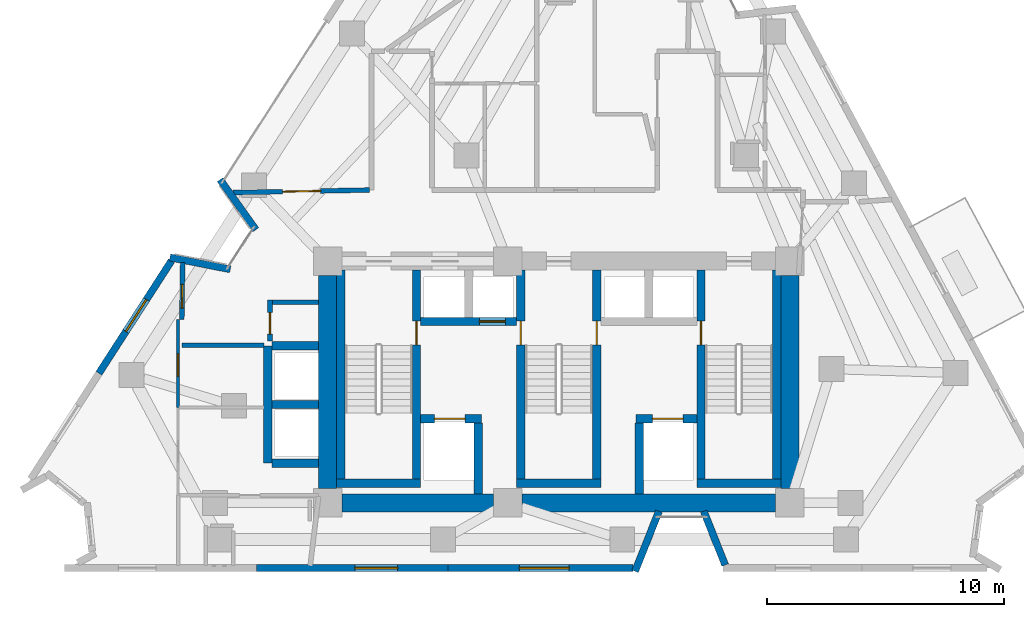
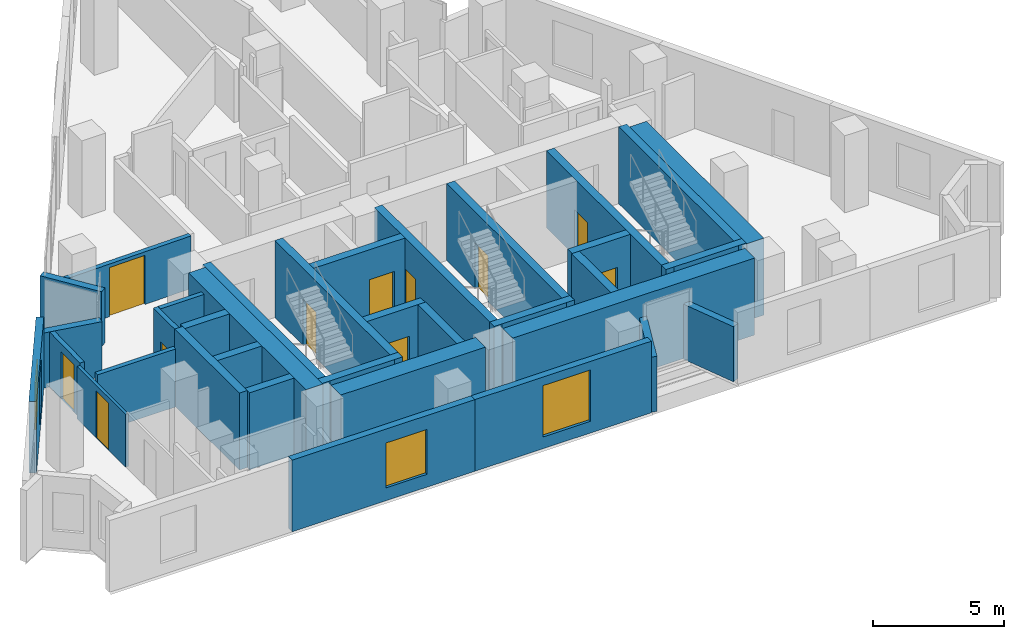
# One storey, part 6 of 11: 35 walls, 11 doors, 3 windows, 14 openings.
"""IFC4 building model written with IfcOpenShell, lengths in metres."""

import ifcopenshell
import ifcopenshell.guid

model = None  # the IFC model being written
_history = None  # IfcOwnerHistory: only IFC2X3 demands one
_inside = {}  # id of a spatial element -> (the spatial element, [elements in it])
_under = {}  # id of a project, library or spatial element -> (it, [spatial elements below it])
_declared = {}  # id of a project -> (the project, [libraries it declares])
_typed = {}  # id of a type object -> (the type object, [elements of that type])
_made_of = {}  # id of a material, layer set ... -> (it, [elements and type objects made of it])


def new_model(schema):
    """Start an empty IFC model of exactly this schema.

    Asked for "IFC4X3", IfcOpenShell would pick the latest addendum, in which some entities
    have other attributes; the version numbers below select the first issue.
    IFC2X3 requires an IfcOwnerHistory on every rooted entity: one is made here for all.
    """
    global model, _history
    if schema == "IFC4X3":
        model = ifcopenshell.file(schema_version=(4, 3, 0, 0))
    else:
        model = ifcopenshell.file(schema=schema)
    _inside.clear()
    _under.clear()
    _declared.clear()
    _typed.clear()
    _made_of.clear()
    _history = None
    if model.schema == "IFC2X3":
        org = make("IfcOrganization", Name="unknown")
        user = make(
            "IfcPersonAndOrganization",
            ThePerson=make("IfcPerson", FamilyName="unknown"),
            TheOrganization=org,
        )
        app = make(
            "IfcApplication",
            ApplicationDeveloper=org,
            Version="unknown",
            ApplicationFullName="unknown",
            ApplicationIdentifier="unknown",
        )
        _history = make(
            "IfcOwnerHistory",
            OwningUser=user,
            OwningApplication=app,
            ChangeAction="ADDED",
            CreationDate=0,
        )
    return model


def make(cls, **values):
    """One entity of the class cls with the attributes given. An attribute that is None is left unset."""
    return model.create_entity(
        cls, **{name: value for name, value in values.items() if value is not None}
    )


def rooted(cls, **values):
    """An entity with a GlobalId (a new one), such as an element, a storey or a relation."""
    return make(cls, GlobalId=ifcopenshell.guid.new(), OwnerHistory=_history, **values)


def si_unit(unit_type, name, prefix=None):
    """IfcSIUnit, for example si_unit("LENGTHUNIT", "METRE", prefix="MILLI")."""
    return make("IfcSIUnit", UnitType=unit_type, Prefix=prefix, Name=name)


def assignment(units):
    """IfcUnitAssignment: the units of a project."""
    return None if units is None else make("IfcUnitAssignment", Units=units)


def point(xyz):
    """IfcCartesianPoint."""
    return None if xyz is None else make("IfcCartesianPoint", Coordinates=xyz)


def direction(xyz):
    """IfcDirection."""
    return None if xyz is None else make("IfcDirection", DirectionRatios=xyz)


def frame(location, z_axis=None, x_axis=None):
    """IfcAxis2Placement3D, a coordinate frame: its origin and axes. An axis left out is left unset."""
    return make(
        "IfcAxis2Placement3D",
        Location=point(location),
        Axis=direction(z_axis),
        RefDirection=direction(x_axis),
    )


def frame_2d(location, x_axis=None):
    """IfcAxis2Placement2D, a coordinate frame in the plane: its origin and x axis."""
    return make(
        "IfcAxis2Placement2D", Location=point(location), RefDirection=direction(x_axis)
    )


def origin():
    """The frame at (0, 0, 0) with its axes left unset."""
    return frame((0.0, 0.0, 0.0))


def place(relative_to, where):
    """IfcLocalPlacement: puts the frame where relative to a parent placement (None: the world)."""
    return make(
        "IfcLocalPlacement", PlacementRelTo=relative_to, RelativePlacement=where
    )


def context(
    kind, dimensions, precision=None, world=None, true_north=None, identifier=None
):
    """IfcGeometricRepresentationContext, for example the 3D "Model" context."""
    return make(
        "IfcGeometricRepresentationContext",
        ContextIdentifier=identifier,
        ContextType=kind,
        CoordinateSpaceDimension=dimensions,
        Precision=precision,
        WorldCoordinateSystem=world,
        TrueNorth=true_north,
    )


def subcontext(parent, identifier, kind, view, scale=None):
    """IfcGeometricRepresentationSubContext, for example "Body" below "Model"."""
    return make(
        "IfcGeometricRepresentationSubContext",
        ContextIdentifier=identifier,
        ContextType=kind,
        ParentContext=parent,
        TargetScale=scale,
        TargetView=view,
    )


def project(units=None, contexts=None):
    """IfcProject with its units and contexts."""
    return rooted(
        "IfcProject",
        Name="project",
        RepresentationContexts=contexts,
        UnitsInContext=assignment(units),
    )


def spatial(cls, under=None, at=None, **own):
    """A site, building, storey or space (cls), placed at a placement, below another one or the project."""
    s = rooted(cls, ObjectPlacement=at, **own)
    if under is not None:
        _under.setdefault(under.id(), (under, []))[1].append(s)
    return s


def profile(cls, at=None, kind="AREA", **sizes):
    """A parametric profile (cls). Its sizes go by their IFC names, for example OverallWidth=200.0."""
    return make(cls, ProfileType=kind, Position=at, **sizes)


def rectangle(**sizes):
    """IfcRectangleProfileDef."""
    return profile("IfcRectangleProfileDef", **sizes)


def extrude(swept, where, along, depth):
    """IfcExtrudedAreaSolid: the profile swept, set in the frame where, extruded along a direction by depth."""
    return make(
        "IfcExtrudedAreaSolid",
        SweptArea=swept,
        Position=where,
        ExtrudedDirection=direction(along),
        Depth=depth,
    )


def shape(context_of_items, identifier, shape_type, items):
    """IfcShapeRepresentation: the items that make up one representation, for example the "Body"."""
    return make(
        "IfcShapeRepresentation",
        ContextOfItems=context_of_items,
        RepresentationIdentifier=identifier,
        RepresentationType=shape_type,
        Items=items,
    )


def material(Name=None, Category=None):
    """IfcMaterial."""
    return make("IfcMaterial", Name=Name, Category=Category)


def layer(
    of_material, thickness, ventilated=None, Name=None, Category=None, Priority=None
):
    """IfcMaterialLayer: one layer of a wall or slab, of a material (None: an air gap)."""
    return make(
        "IfcMaterialLayer",
        Material=of_material,
        LayerThickness=thickness,
        IsVentilated=ventilated,
        Name=Name,
        Category=Category,
        Priority=Priority,
    )


def layer_set(layers, Name=None):
    """IfcMaterialLayerSet."""
    return make("IfcMaterialLayerSet", MaterialLayers=layers, LayerSetName=Name)


def made_of(thing, what):
    """Note that an element or type object is made of a material, layer set ...; save() writes the relation."""
    if what is not None:
        _made_of.setdefault(what.id(), (what, []))[1].append(thing)
    return thing


def type_object(cls, material=None, **own):
    """A type object (cls), such as IfcWallType, which elements share."""
    return made_of(rooted(cls, **own), material)


def element(
    cls,
    number,
    at=None,
    inside=None,
    cuts=None,
    type_object=None,
    material=None,
    context=None,
    identifier="Body",
    shape_type=None,
    held_by="IfcProductDefinitionShape",
    body=None,
    shapes=None,
    **own,
):
    """One element of the class cls, such as IfcWall. Its Tag is "e" and its number.

    at: its placement. inside: the storey or other place that contains it. cuts: it is an
    opening in that element (IfcRelVoidsElement). A single representation is given by context,
    identifier, shape_type and body (its items); several are given by shapes. held_by: the class
    of the entity that holds the representations. save() writes the other relations.
    """
    e = rooted(cls, Tag="e%d" % number, ObjectPlacement=at, **own)
    if body is not None:
        shapes = [shape(context, identifier, shape_type, body)]
    if shapes is not None:
        e.Representation = make(held_by, Representations=shapes)
    if inside is not None:
        _inside.setdefault(inside.id(), (inside, []))[1].append(e)
    if cuts is not None:
        rooted(
            "IfcRelVoidsElement", RelatingBuildingElement=cuts, RelatedOpeningElement=e
        )
    if type_object is not None:
        _typed.setdefault(type_object.id(), (type_object, []))[1].append(e)
    return made_of(e, material)


def fill(opening, filler):
    """IfcRelFillsElement: the door or window that sits in an opening."""
    return rooted(
        "IfcRelFillsElement",
        RelatingOpeningElement=opening,
        RelatedBuildingElement=filler,
    )


def aggregate(whole, parts):
    """IfcRelAggregates: a whole, such as a stair, and the parts it consists of."""
    return rooted("IfcRelAggregates", RelatingObject=whole, RelatedObjects=parts)


def save(model, path):
    """Write the relations noted so far, then the file.

    IfcRelAggregates (storeys below a building ...), IfcRelContainedInSpatialStructure (elements
    in a storey), IfcRelDefinesByType, IfcRelAssociatesMaterial and IfcRelDeclares: one each for
    every whole, place, type object, material and project.
    """
    for whole, parts in _under.values():
        aggregate(whole, parts)
    for where, things in _inside.values():
        rooted(
            "IfcRelContainedInSpatialStructure",
            RelatedElements=things,
            RelatingStructure=where,
        )
    for kind, things in _typed.values():
        rooted("IfcRelDefinesByType", RelatedObjects=things, RelatingType=kind)
    for what, things in _made_of.values():
        rooted("IfcRelAssociatesMaterial", RelatedObjects=things, RelatingMaterial=what)
    for by, libraries in _declared.values():
        rooted("IfcRelDeclares", RelatingContext=by, RelatedDefinitions=libraries)
    model.write(path)


model = new_model("IFC4")

# Units and contexts
model_context = context("Model", 3, precision=1e-05, world=origin(), true_north=direction((0.0, 1.0)))
body_context = subcontext(model_context, "Body", "Model", "MODEL_VIEW")
ifc_project = project(units=[si_unit("LENGTHUNIT", "METRE"), si_unit("AREAUNIT", "SQUARE_METRE"), si_unit("VOLUMEUNIT", "CUBIC_METRE"), si_unit("PLANEANGLEUNIT", "RADIAN"), si_unit("MASSUNIT", "GRAM", prefix="KILO")], contexts=[model_context])

# Site, building, storey
site_placement = place(None, origin())
site = spatial("IfcSite", under=ifc_project, at=site_placement, CompositionType="ELEMENT")
building_placement = place(site_placement, origin())
building = spatial("IfcBuilding", under=site, at=building_placement, Name="Almagre Mirador Tower", CompositionType="ELEMENT")
storey_placement = place(building_placement, frame((0.0, 0.0, 189.60009765625)))
storey = spatial("IfcBuildingStorey", under=building, at=storey_placement, Name="L49", CompositionType="ELEMENT", Elevation=189.60009765625)

# Walls
ifc_material_1 = material(Name="Precast concrete C50/60", Category="concrete")
ifc_layer_1 = layer(ifc_material_1, 0.300048828125)
ifc_layer_set_1 = layer_set([ifc_layer_1], Name="Precast concrete C50/60")
wall_type_1 = type_object("IfcWallType", Name="WAL-EXT-300", PredefinedType="SOLIDWALL", material=ifc_layer_set_1)
wall_1_placement = place(storey_placement, frame((20.898681640625, 14.906005859375, 0.0), z_axis=(0.0, 0.0, 1.0), x_axis=(0.981166388371, -0.193164485171, 0.0)))
element("IfcWall", 1, at=wall_1_placement, inside=storey, type_object=wall_type_1, Name="L49 expressed almagre precast frame wall 01", PredefinedType="SOLIDWALL", context=body_context, shape_type="SweptSolid", body=[
    extrude(rectangle(XDim=2.593505859375, YDim=0.300048828125, at=frame_2d((1.296875, 0.0))), origin(), (0.0, 0.0, 1.0), 2.574951171875),
])
wall_2_placement = place(storey_placement, frame((24.520263671875, 16.073974609375, 0.0), z_axis=(0.0, 0.0, 1.0), x_axis=(-0.580472212384, 0.814280056645, 0.0)))
element("IfcWall", 2, at=wall_2_placement, inside=storey, type_object=wall_type_1, Name="L49 expressed almagre precast frame wall 02", PredefinedType="SOLIDWALL", context=body_context, shape_type="SweptSolid", body=[
    extrude(rectangle(XDim=2.59375, YDim=0.300048828125, at=frame_2d((1.296875, 0.0))), origin(), (0.0, 0.0, 1.0), 2.574951171875),
])
wall_3_placement = place(storey_placement, frame((44.3203125, 1.93017578125, 0.0), z_axis=(0.0, 0.0, 1.0), x_axis=(-0.369562555971, 0.929205852986, 0.0)))
element("IfcWall", 3, at=wall_3_placement, inside=storey, type_object=wall_type_1, Name="L49 expressed almagre precast frame wall 22", PredefinedType="SOLIDWALL", context=body_context, shape_type="SweptSolid", body=[
    extrude(rectangle(XDim=2.441650390625, YDim=0.300048828125, at=frame_2d((1.220703125, 0.0))), origin(), (0.0, 0.0, 1.0), 2.574951171875),
])
wall_4_placement = place(storey_placement, frame((41.52587890625, 4.198974609375, 0.0), z_axis=(0.0, 0.0, 1.0), x_axis=(-0.369487569888, -0.929235672851, 0.0)))
element("IfcWall", 4, at=wall_4_placement, inside=storey, type_object=wall_type_1, Name="L49 expressed almagre precast frame wall 23", PredefinedType="SOLIDWALL", context=body_context, shape_type="SweptSolid", body=[
    extrude(rectangle(XDim=2.7216796875, YDim=0.300048828125, at=frame_2d((1.36083984375, 0.0))), origin(), (0.0, 0.0, 1.0), 2.574951171875),
])

# Wall, opening, window
wall_5_placement = place(storey_placement, frame((40.43701171875, 1.800048828125, 0.0), z_axis=(0.0, 0.0, 1.0), x_axis=(-1.0, 0.0, 0.0)))
wall_5 = element("IfcWall", 5, at=wall_5_placement, inside=storey, type_object=wall_type_1, Name="L49 expressed almagre precast frame wall 24", PredefinedType="SOLIDWALL", context=body_context, shape_type="SweptSolid", body=[
    extrude(rectangle(XDim=7.80908203125, YDim=0.300048828125, at=frame_2d((3.904541015625, 0.0))), origin(), (0.0, 0.0, 1.0), 3.349853515625),
])
opening_1_placement = place(wall_5_placement, frame((2.699951171875, 0.0, 0.550048828125)))
opening_1 = element("IfcOpeningElement", 6, at=opening_1_placement, cuts=wall_5, Name="Opening WN-05", PredefinedType="OPENING", context=body_context, shape_type="SweptSolid", body=[
    extrude(rectangle(XDim=2.10009765625, YDim=2.39990234375, at=frame_2d((1.050048828125, 1.199951171875))), frame((0.0, 0.159902, 0.0), z_axis=(0.0, -1.0, 0.0), x_axis=(1.0, 0.0, 0.0)), (0.0, 0.0, 1.0), 0.320049),
])
ifc_material_2 = material(Name="Dark solar-control laminated hurricane glass", Category="glass")
window_type_1 = type_object("IfcWindowType", Name="WIN-2100X2400", PartitioningType="DOUBLE_PANEL_VERTICAL", PredefinedType="WINDOW", material=ifc_material_2)
window_1_placement = place(opening_1_placement, origin())
window_1 = element("IfcWindow", 7, at=window_1_placement, inside=storey, type_object=window_type_1, Name="L49 recessed hurricane window L49-RST-B", OverallHeight=2.39990234375, OverallWidth=2.10009765625, PartitioningType="SINGLE_PANEL", PredefinedType="WINDOW", context=body_context, shape_type="SweptSolid", body=[
    extrude(rectangle(XDim=2.10009765625, YDim=2.39990234375, at=frame_2d((1.050048828125, 1.199951171875))), frame((0.0, 0.030029296875, 0.0), z_axis=(0.0, -1.0, 0.0), x_axis=(1.0, 0.0, 0.0)), (0.0, 0.0, 1.0), 0.06005859375),
])
fill(opening_1, window_1)

wall_6_placement = place(storey_placement, frame((32.6279296875, 1.800048828125, 0.0), z_axis=(0.0, 0.0, 1.0), x_axis=(-1.0, 0.0, 0.0)))
wall_6 = element("IfcWall", 8, at=wall_6_placement, inside=storey, type_object=wall_type_1, Name="L49 expressed almagre precast frame wall 25", PredefinedType="SOLIDWALL", context=body_context, shape_type="SweptSolid", body=[
    extrude(rectangle(XDim=8.083984375, YDim=0.300048828125, at=frame_2d((4.0419921875, 0.0))), origin(), (0.0, 0.0, 1.0), 3.349853515625),
])
opening_2_placement = place(wall_6_placement, frame((2.125, 0.0, 0.60009765625)))
opening_2 = element("IfcOpeningElement", 9, at=opening_2_placement, cuts=wall_6, Name="Opening WN-01", PredefinedType="OPENING", context=body_context, shape_type="SweptSolid", body=[
    extrude(rectangle(XDim=1.800048828125, YDim=2.10009765625, at=frame_2d((0.89990234375, 1.050048828125))), frame((0.0, 0.159902, 0.0), z_axis=(0.0, -1.0, 0.0), x_axis=(1.0, 0.0, 0.0)), (0.0, 0.0, 1.0), 0.320049),
])
ifc_material_3 = material(Name="Dark solar-control laminated hurricane glass", Category="glass")
window_type_2 = type_object("IfcWindowType", Name="WIN-1800X2100", PartitioningType="DOUBLE_PANEL_VERTICAL", PredefinedType="WINDOW", material=ifc_material_3)
window_2_placement = place(opening_2_placement, origin())
window_2 = element("IfcWindow", 10, at=window_2_placement, inside=storey, type_object=window_type_2, Name="L49 recessed hurricane window L49-RST-B", OverallHeight=2.10009765625, OverallWidth=1.800048828125, PartitioningType="SINGLE_PANEL", PredefinedType="WINDOW", context=body_context, shape_type="SweptSolid", body=[
    extrude(rectangle(XDim=1.800048828125, YDim=2.10009765625, at=frame_2d((0.89990234375, 1.050048828125))), frame((0.0, 0.030029296875, 0.0), z_axis=(0.0, -1.0, 0.0), x_axis=(1.0, 0.0, 0.0)), (0.0, 0.0, 1.0), 0.06005859375),
])
fill(opening_2, window_2)

wall_7_placement = place(storey_placement, frame((17.902099609375, 10.02001953125, 0.0), z_axis=(0.0, 0.0, 1.0), x_axis=(0.54201450622, 0.840369130232, 0.0)))
wall_7 = element("IfcWall", 11, at=wall_7_placement, inside=storey, type_object=wall_type_1, Name="L49 expressed almagre precast frame wall 32", PredefinedType="SOLIDWALL", context=body_context, shape_type="SweptSolid", body=[
    extrude(rectangle(XDim=5.64208984375, YDim=0.300048828125, at=frame_2d((2.821044921875, 0.0))), origin(), (0.0, 0.0, 1.0), 3.349853515625),
])
opening_3_placement = place(wall_7_placement, frame((2.10009765625, 0.0, 0.550048828125)))
opening_3 = element("IfcOpeningElement", 12, at=opening_3_placement, cuts=wall_7, Name="Opening WN-06", PredefinedType="OPENING", context=body_context, shape_type="SweptSolid", body=[
    extrude(rectangle(XDim=1.60009765625, YDim=2.199951171875, at=frame_2d((0.800048828125, 1.10009765625))), frame((0.0, 0.159902, 0.0), z_axis=(0.0, -1.0, 0.0), x_axis=(1.0, 0.0, 0.0)), (0.0, 0.0, 1.0), 0.320049),
])
ifc_material_4 = material(Name="Dark solar-control laminated hurricane glass", Category="glass")
window_type_3 = type_object("IfcWindowType", Name="WIN-1600X2200", PartitioningType="DOUBLE_PANEL_VERTICAL", PredefinedType="WINDOW", material=ifc_material_4)
window_3_placement = place(opening_3_placement, origin())
window_3 = element("IfcWindow", 13, at=window_3_placement, inside=storey, type_object=window_type_3, Name="L49 recessed hurricane window L49-UA-LV", OverallHeight=2.199951171875, OverallWidth=1.60009765625, PartitioningType="SINGLE_PANEL", PredefinedType="WINDOW", context=body_context, shape_type="SweptSolid", body=[
    extrude(rectangle(XDim=1.60009765625, YDim=2.199951171875, at=frame_2d((0.800048828125, 1.10009765625))), frame((0.0, 0.030029296875, 0.0), z_axis=(0.0, -1.0, 0.0), x_axis=(1.0, 0.0, 0.0)), (0.0, 0.0, 1.0), 0.06005859375),
])
fill(opening_3, window_3)

# Wall, opening, door
ifc_material_5 = material(Name="Gypsum acoustic stud partition", Category="other")
ifc_layer_2 = layer(ifc_material_5, 0.125)
ifc_layer_set_2 = layer_set([ifc_layer_2], Name="Gypsum acoustic stud partition")
wall_type_2 = type_object("IfcWallType", Name="WAL-PRT-125-UTL", PredefinedType="PARTITIONING", material=ifc_layer_set_2)
wall_8_placement = place(storey_placement, frame((21.239990234375, 8.580078125, 0.0), z_axis=(0.0, 0.0, 1.0), x_axis=(0.0, 1.0, 0.0)))
wall_8 = element("IfcWall", 14, at=wall_8_placement, inside=storey, type_object=wall_type_2, Name="L49 interior partition 025", PredefinedType="PARTITIONING", context=body_context, shape_type="SweptSolid", body=[
    extrude(rectangle(XDim=3.7099609375, YDim=0.125, at=frame_2d((1.85498046875, 0.0))), origin(), (0.0, 0.0, 1.0), 2.4638671875),
])
opening_4_placement = place(wall_8_placement, frame((1.321044921875, 0.0, 0.0)))
opening_4 = element("IfcOpeningElement", 15, at=opening_4_placement, cuts=wall_8, Name="Opening UD-01", PredefinedType="OPENING", context=body_context, shape_type="SweptSolid", body=[
    extrude(rectangle(XDim=0.949951171875, YDim=2.199951171875, at=frame_2d((0.47509765625, 1.10009765625))), frame((0.0, 0.0725, 0.0), z_axis=(0.0, -1.0, 0.0), x_axis=(1.0, 0.0, 0.0)), (0.0, 0.0, 1.0), 0.145),
])
ifc_material_6 = material(Name="Solid American walnut timber", Category="wood")
door_type_1 = type_object("IfcDoorType", Name="DOR-UNR-950X2200", OperationType="NOTDEFINED", PredefinedType="DOOR", material=ifc_material_6)
door_1_placement = place(opening_4_placement, origin())
door_1 = element("IfcDoor", 16, at=door_1_placement, inside=storey, type_object=door_type_1, Name="DR-1549 L49 interior door L49-UA-LV to L49-UA-KT", OperationType="SINGLE_SWING_RIGHT", OverallHeight=2.199951171875, OverallWidth=0.949951171875, PredefinedType="DOOR", context=body_context, shape_type="SweptSolid", body=[
    extrude(rectangle(XDim=0.949951171875, YDim=2.199951171875, at=frame_2d((0.47509765625, 1.10009765625))), frame((0.0, 0.02490234375, 0.0), z_axis=(0.0, -1.0, 0.0), x_axis=(1.0, 0.0, 0.0)), (0.0, 0.0, 1.0), 0.050048828125),
])
fill(opening_4, door_1)

ifc_material_7 = material(Name="Gypsum acoustic stud partition", Category="other")
ifc_layer_3 = layer(ifc_material_7, 0.199951171875)
ifc_layer_set_3 = layer_set([ifc_layer_3], Name="Gypsum acoustic stud partition")
wall_type_3 = type_object("IfcWallType", Name="WAL-PRT-200-EI60", PredefinedType="PARTITIONING", material=ifc_layer_set_3)
wall_9_placement = place(storey_placement, frame((25.1201171875, 11.3701171875, 0.0), z_axis=(0.0, 0.0, 1.0), x_axis=(0.0, 1.0, 0.0)))
wall_9 = element("IfcWall", 17, at=wall_9_placement, inside=storey, type_object=wall_type_3, Name="L49 core ancillary west wall", PredefinedType="PARTITIONING", context=body_context, shape_type="SweptSolid", body=[
    extrude(rectangle(XDim=1.739990234375, YDim=0.199951171875, at=frame_2d((0.8701171875, 0.0))), origin(), (0.0, 0.0, 1.0), 3.349853515625),
])
opening_5_placement = place(wall_9_placement, frame((0.304931640625, 0.0, 0.0)))
opening_5 = element("IfcOpeningElement", 18, at=opening_5_placement, cuts=wall_9, Name="Opening ID-03", PredefinedType="OPENING", context=body_context, shape_type="SweptSolid", body=[
    extrude(rectangle(XDim=0.89990234375, YDim=2.10009765625, at=frame_2d((0.449951171875, 1.050048828125))), frame((0.0, 0.110098, 0.0), z_axis=(0.0, -1.0, 0.0), x_axis=(1.0, 0.0, 0.0)), (0.0, 0.0, 1.0), 0.219951),
])
ifc_material_8 = material(Name="Fire-rated hollow steel", Category="steel")
door_type_2 = type_object("IfcDoorType", Name="DOR-FD60-900X2100", OperationType="NOTDEFINED", PredefinedType="DOOR", material=ifc_material_8)
door_2_placement = place(opening_5_placement, origin())
door_2 = element("IfcDoor", 19, at=door_2_placement, inside=storey, type_object=door_type_2, Name="DR-1540 L49 core ancillary corridor door", OperationType="SINGLE_SWING_LEFT", OverallHeight=2.10009765625, OverallWidth=0.89990234375, PredefinedType="DOOR", context=body_context, shape_type="SweptSolid", body=[
    extrude(rectangle(XDim=0.89990234375, YDim=2.10009765625, at=frame_2d((0.449951171875, 1.050048828125))), frame((0.0, 0.02490234375, 0.0), z_axis=(0.0, -1.0, 0.0), x_axis=(1.0, 0.0, 0.0)), (0.0, 0.0, 1.0), 0.050048828125),
])
fill(opening_5, door_2)

# Wall
wall_10_placement = place(storey_placement, frame((25.22509765625, 13.02001953125, 0.0), z_axis=(0.0, 0.0, 1.0), x_axis=(1.0, 0.0, 0.0)))
element("IfcWall", 20, at=wall_10_placement, inside=storey, type_object=wall_type_3, Name="L49 core ancillary north wall", PredefinedType="PARTITIONING", context=body_context, shape_type="SweptSolid", body=[
    extrude(rectangle(XDim=1.934814453125, YDim=0.199951171875, at=frame_2d((0.96728515625, 0.0))), origin(), (0.0, 0.0, 1.0), 3.349853515625),
])

# Wall, opening, door
wall_11_placement = place(storey_placement, frame((21.43505859375, 14.700927734375, 0.0), z_axis=(0.0, 0.0, 1.0), x_axis=(-0.01458072832, -0.999893695531, 0.0)))
wall_11 = element("IfcWall", 21, at=wall_11_placement, inside=storey, type_object=wall_type_3, Name="L49 interior partition 001", PredefinedType="PARTITIONING", context=body_context, shape_type="SweptSolid", body=[
    extrude(rectangle(XDim=2.4111328125, YDim=0.199951171875, at=frame_2d((1.20556640625, 0.0))), origin(), (0.0, 0.0, 1.0), 2.56982421875),
])
opening_6_placement = place(wall_11_placement, frame((0.93603515625, 0.0, 0.0)))
opening_6 = element("IfcOpeningElement", 22, at=opening_6_placement, cuts=wall_11, Name="Opening ID-01", PredefinedType="OPENING", context=body_context, shape_type="SweptSolid", body=[
    extrude(rectangle(XDim=1.0, YDim=2.199951171875, at=frame_2d((0.5, 1.10009765625))), frame((0.0, 0.110098, 0.0), z_axis=(0.0, -1.0, 0.0), x_axis=(1.0, 0.0, 0.0)), (0.0, 0.0, 1.0), 0.219951),
])
ifc_material_9 = material(Name="Fire-rated walnut timber", Category="wood")
door_type_3 = type_object("IfcDoorType", Name="DOR-FD60-1000X2200", OperationType="NOTDEFINED", PredefinedType="DOOR", material=ifc_material_9)
door_3_placement = place(opening_6_placement, origin())
door_3 = element("IfcDoor", 23, at=door_3_placement, inside=storey, type_object=door_type_3, Name="DR-1548 L49 interior door L49-RCOR to L49-UA-LV", OperationType="SINGLE_SWING_LEFT", OverallHeight=2.199951171875, OverallWidth=1.0, PredefinedType="DOOR", context=body_context, shape_type="SweptSolid", body=[
    extrude(rectangle(XDim=1.0, YDim=2.199951171875, at=frame_2d((0.5, 1.10009765625))), frame((0.0, 0.02490234375, 0.0), z_axis=(0.0, -1.0, 0.0), x_axis=(1.0, 0.0, 0.0)), (0.0, 0.0, 1.0), 0.050048828125),
])
fill(opening_6, door_3)

# Wall
wall_12_placement = place(storey_placement, frame((21.39990234375, 11.199951171875, 0.0), z_axis=(0.0, 0.0, 1.0), x_axis=(1.0, 0.0, 0.0)))
element("IfcWall", 24, at=wall_12_placement, inside=storey, type_object=wall_type_3, Name="L49 interior partition 003", PredefinedType="PARTITIONING", context=body_context, shape_type="SweptSolid", body=[
    extrude(rectangle(XDim=3.46923828125, YDim=0.199951171875, at=frame_2d((1.734619140625, 0.0))), origin(), (0.0, 0.0, 1.0), 2.7119140625),
])

# Wall, opening, door
wall_13_placement = place(storey_placement, frame((29.31494140625, 17.748779296875, 0.0), z_axis=(0.0, 0.0, 1.0), x_axis=(-0.999827964646, -0.018548345243, 0.0)))
wall_13 = element("IfcWall", 25, at=wall_13_placement, inside=storey, type_object=wall_type_3, Name="L49 interior partition 007", PredefinedType="PARTITIONING", context=body_context, shape_type="SweptSolid", body=[
    extrude(rectangle(XDim=5.751953125, YDim=0.199951171875, at=frame_2d((2.8759765625, 0.0))), origin(), (0.0, 0.0, 1.0), 2.4638671875),
])
opening_7_placement = place(wall_13_placement, frame((2.062255859375, 0.0, 0.0)))
opening_7 = element("IfcOpeningElement", 26, at=opening_7_placement, cuts=wall_13, Name="Opening ID-05", PredefinedType="OPENING", context=body_context, shape_type="SweptSolid", body=[
    extrude(rectangle(XDim=1.60009765625, YDim=2.300048828125, at=frame_2d((0.800048828125, 1.14990234375))), frame((0.0, 0.110098, 0.0), z_axis=(0.0, -1.0, 0.0), x_axis=(1.0, 0.0, 0.0)), (0.0, 0.0, 1.0), 0.219951),
])
ifc_material_10 = material(Name="Fire-rated acoustic timber", Category="wood")
door_type_4 = type_object("IfcDoorType", Name="DOR-FD60-1600X2300", OperationType="DOUBLE_DOOR_SINGLE_SWING", PredefinedType="DOOR", material=ifc_material_10)
door_4_placement = place(opening_7_placement, origin())
door_4 = element("IfcDoor", 27, at=door_4_placement, inside=storey, type_object=door_type_4, Name="DR-1546 L49 interior door L49-RCOR to L49-RST-D", OperationType="DOUBLE_DOOR_SINGLE_SWING", OverallHeight=2.300048828125, OverallWidth=1.60009765625, PredefinedType="DOOR", context=body_context, shape_type="SweptSolid", body=[
    extrude(rectangle(XDim=1.60009765625, YDim=2.300048828125, at=frame_2d((0.800048828125, 1.14990234375))), frame((0.0, 0.02490234375, 0.0), z_axis=(0.0, -1.0, 0.0), x_axis=(1.0, 0.0, 0.0)), (0.0, 0.0, 1.0), 0.050048828125),
])
fill(opening_7, door_4)

# Wall
ifc_material_11 = material(Name="Concrete C60/75", Category="concrete")
ifc_layer_4 = layer(ifc_material_11, 0.35009765625)
ifc_layer_set_4 = layer_set([ifc_layer_4], Name="Concrete C60/75")
wall_type_4 = type_object("IfcWallType", Name="WAL-SHF-350", PredefinedType="SOLIDWALL", material=ifc_layer_set_4)
wall_14_placement = place(storey_placement, frame((28.10009765625, 5.199951171875, 0.0), z_axis=(0.0, 0.0, 1.0), x_axis=(0.0, 1.0, 0.0)))
element("IfcWall", 28, at=wall_14_placement, inside=storey, type_object=wall_type_4, Name="L49 shaft wall ST1-W", PredefinedType="SOLIDWALL", context=body_context, shape_type="SweptSolid", body=[
    extrude(rectangle(XDim=9.175048828125, YDim=0.35009765625, at=frame_2d((4.58740234375, 0.0))), origin(), (0.0, 0.0, 1.0), 3.599853515625),
])

# Wall, opening, door
wall_15_placement = place(storey_placement, frame((31.300048828125, 5.199951171875, 0.0), z_axis=(0.0, 0.0, 1.0), x_axis=(0.0, 1.0, 0.0)))
wall_15 = element("IfcWall", 29, at=wall_15_placement, inside=storey, type_object=wall_type_4, Name="L49 shaft wall ST1-E", PredefinedType="SOLIDWALL", context=body_context, shape_type="SweptSolid", body=[
    extrude(rectangle(XDim=9.175048828125, YDim=0.35009765625, at=frame_2d((4.58740234375, 0.0))), origin(), (0.0, 0.0, 1.0), 3.599853515625),
])
opening_8_placement = place(wall_15_placement, frame((6.02001953125, 0.0, 0.0)))
opening_8 = element("IfcOpeningElement", 30, at=opening_8_placement, cuts=wall_15, Name="Opening FD-01", PredefinedType="OPENING", context=body_context, shape_type="SweptSolid", body=[
    extrude(rectangle(XDim=1.0, YDim=2.14990234375, at=frame_2d((0.5, 1.074951171875))), frame((0.0, 0.185049, 0.0), z_axis=(0.0, -1.0, 0.0), x_axis=(1.0, 0.0, 0.0)), (0.0, 0.0, 1.0), 0.370098),
])
ifc_material_12 = material(Name="Fire-rated hollow steel", Category="steel")
door_type_5 = type_object("IfcDoorType", Name="DOR-FFL-1000X2150", OperationType="NOTDEFINED", PredefinedType="DOOR", material=ifc_material_12)
door_5_placement = place(opening_8_placement, origin())
door_5 = element("IfcDoor", 31, at=door_5_placement, inside=storey, type_object=door_type_5, Name="DR-1541 L49 FFL1-ST1 smokeproof door", OperationType="SINGLE_SWING_LEFT", OverallHeight=2.14990234375, OverallWidth=1.0, PredefinedType="DOOR", context=body_context, shape_type="SweptSolid", body=[
    extrude(rectangle(XDim=1.0, YDim=2.14990234375, at=frame_2d((0.5, 1.074951171875))), frame((0.0, 0.02490234375, 0.0), z_axis=(0.0, -1.0, 0.0), x_axis=(1.0, 0.0, 0.0)), (0.0, 0.0, 1.0), 0.050048828125),
])
fill(opening_8, door_5)

# Wall
wall_16_placement = place(storey_placement, frame((27.925048828125, 5.375, 0.0), z_axis=(0.0, 0.0, 1.0), x_axis=(1.0, 0.0, 0.0)))
element("IfcWall", 32, at=wall_16_placement, inside=storey, type_object=wall_type_4, Name="L49 shaft wall ST1-S", PredefinedType="SOLIDWALL", context=body_context, shape_type="SweptSolid", body=[
    extrude(rectangle(XDim=3.550048828125, YDim=0.35009765625, at=frame_2d((1.77490234375, 0.0))), origin(), (0.0, 0.0, 1.0), 3.599853515625),
])

# Wall, opening, door
wall_17_placement = place(storey_placement, frame((35.699951171875, 5.199951171875, 0.0), z_axis=(0.0, 0.0, 1.0), x_axis=(0.0, 1.0, 0.0)))
wall_17 = element("IfcWall", 33, at=wall_17_placement, inside=storey, type_object=wall_type_4, Name="L49 shaft wall ST2-W", PredefinedType="SOLIDWALL", context=body_context, shape_type="SweptSolid", body=[
    extrude(rectangle(XDim=9.175048828125, YDim=0.35009765625, at=frame_2d((4.58740234375, 0.0))), origin(), (0.0, 0.0, 1.0), 3.599853515625),
])
opening_9_placement = place(wall_17_placement, frame((6.02001953125, 0.0, 0.0)))
opening_9 = element("IfcOpeningElement", 34, at=opening_9_placement, cuts=wall_17, Name="Opening FD-01", PredefinedType="OPENING", context=body_context, shape_type="SweptSolid", body=[
    extrude(rectangle(XDim=1.0, YDim=2.14990234375, at=frame_2d((0.5, 1.074951171875))), frame((0.0, 0.185049, 0.0), z_axis=(0.0, -1.0, 0.0), x_axis=(1.0, 0.0, 0.0)), (0.0, 0.0, 1.0), 0.370098),
])
door_6_placement = place(opening_9_placement, origin())
door_6 = element("IfcDoor", 35, at=door_6_placement, inside=storey, type_object=door_type_5, Name="DR-1542 L49 FFL1-ST2 smokeproof door", OperationType="SINGLE_SWING_RIGHT", OverallHeight=2.14990234375, OverallWidth=1.0, PredefinedType="DOOR", context=body_context, shape_type="SweptSolid", body=[
    extrude(rectangle(XDim=1.0, YDim=2.14990234375, at=frame_2d((0.5, 1.074951171875))), frame((0.0, 0.02490234375, 0.0), z_axis=(0.0, -1.0, 0.0), x_axis=(1.0, 0.0, 0.0)), (0.0, 0.0, 1.0), 0.050048828125),
])
fill(opening_9, door_6)

wall_18_placement = place(storey_placement, frame((38.89990234375, 5.199951171875, 0.0), z_axis=(0.0, 0.0, 1.0), x_axis=(0.0, 1.0, 0.0)))
wall_18 = element("IfcWall", 36, at=wall_18_placement, inside=storey, type_object=wall_type_4, Name="L49 shaft wall ST2-E", PredefinedType="SOLIDWALL", context=body_context, shape_type="SweptSolid", body=[
    extrude(rectangle(XDim=9.175048828125, YDim=0.35009765625, at=frame_2d((4.58740234375, 0.0))), origin(), (0.0, 0.0, 1.0), 3.599853515625),
])
opening_10_placement = place(wall_18_placement, frame((6.02001953125, 0.0, 0.0)))
opening_10 = element("IfcOpeningElement", 37, at=opening_10_placement, cuts=wall_18, Name="Opening FD-01", PredefinedType="OPENING", context=body_context, shape_type="SweptSolid", body=[
    extrude(rectangle(XDim=1.0, YDim=2.14990234375, at=frame_2d((0.5, 1.074951171875))), frame((0.0, 0.185049, 0.0), z_axis=(0.0, -1.0, 0.0), x_axis=(1.0, 0.0, 0.0)), (0.0, 0.0, 1.0), 0.370098),
])
door_7_placement = place(opening_10_placement, origin())
door_7 = element("IfcDoor", 38, at=door_7_placement, inside=storey, type_object=door_type_5, Name="DR-1543 L49 FFL2-ST2 smokeproof door", OperationType="SINGLE_SWING_LEFT", OverallHeight=2.14990234375, OverallWidth=1.0, PredefinedType="DOOR", context=body_context, shape_type="SweptSolid", body=[
    extrude(rectangle(XDim=1.0, YDim=2.14990234375, at=frame_2d((0.5, 1.074951171875))), frame((0.0, 0.02490234375, 0.0), z_axis=(0.0, -1.0, 0.0), x_axis=(1.0, 0.0, 0.0)), (0.0, 0.0, 1.0), 0.050048828125),
])
fill(opening_10, door_7)

# Wall
wall_19_placement = place(storey_placement, frame((35.52490234375, 5.375, 0.0), z_axis=(0.0, 0.0, 1.0), x_axis=(1.0, 0.0, 0.0)))
element("IfcWall", 39, at=wall_19_placement, inside=storey, type_object=wall_type_4, Name="L49 shaft wall ST2-S", PredefinedType="SOLIDWALL", context=body_context, shape_type="SweptSolid", body=[
    extrude(rectangle(XDim=3.550048828125, YDim=0.35009765625, at=frame_2d((1.77490234375, 0.0))), origin(), (0.0, 0.0, 1.0), 3.599853515625),
])

# Wall, opening, door
wall_20_placement = place(storey_placement, frame((43.300048828125, 5.199951171875, 0.0), z_axis=(0.0, 0.0, 1.0), x_axis=(0.0, 1.0, 0.0)))
wall_20 = element("IfcWall", 40, at=wall_20_placement, inside=storey, type_object=wall_type_4, Name="L49 shaft wall ST3-W", PredefinedType="SOLIDWALL", context=body_context, shape_type="SweptSolid", body=[
    extrude(rectangle(XDim=9.175048828125, YDim=0.35009765625, at=frame_2d((4.58740234375, 0.0))), origin(), (0.0, 0.0, 1.0), 3.599853515625),
])
opening_11_placement = place(wall_20_placement, frame((6.02001953125, 0.0, 0.0)))
opening_11 = element("IfcOpeningElement", 41, at=opening_11_placement, cuts=wall_20, Name="Opening FD-01", PredefinedType="OPENING", context=body_context, shape_type="SweptSolid", body=[
    extrude(rectangle(XDim=1.0, YDim=2.14990234375, at=frame_2d((0.5, 1.074951171875))), frame((0.0, 0.185049, 0.0), z_axis=(0.0, -1.0, 0.0), x_axis=(1.0, 0.0, 0.0)), (0.0, 0.0, 1.0), 0.370098),
])
door_8_placement = place(opening_11_placement, origin())
door_8 = element("IfcDoor", 42, at=door_8_placement, inside=storey, type_object=door_type_5, Name="DR-1544 L49 FFL2-ST3 smokeproof door", OperationType="SINGLE_SWING_RIGHT", OverallHeight=2.14990234375, OverallWidth=1.0, PredefinedType="DOOR", context=body_context, shape_type="SweptSolid", body=[
    extrude(rectangle(XDim=1.0, YDim=2.14990234375, at=frame_2d((0.5, 1.074951171875))), frame((0.0, 0.02490234375, 0.0), z_axis=(0.0, -1.0, 0.0), x_axis=(1.0, 0.0, 0.0)), (0.0, 0.0, 1.0), 0.050048828125),
])
fill(opening_11, door_8)

# Walls
wall_21_placement = place(storey_placement, frame((46.5, 5.199951171875, 0.0), z_axis=(0.0, 0.0, 1.0), x_axis=(0.0, 1.0, 0.0)))
element("IfcWall", 43, at=wall_21_placement, inside=storey, type_object=wall_type_4, Name="L49 shaft wall ST3-E", PredefinedType="SOLIDWALL", context=body_context, shape_type="SweptSolid", body=[
    extrude(rectangle(XDim=9.175048828125, YDim=0.35009765625, at=frame_2d((4.58740234375, 0.0))), origin(), (0.0, 0.0, 1.0), 3.599853515625),
])
wall_22_placement = place(storey_placement, frame((43.125, 5.375, 0.0), z_axis=(0.0, 0.0, 1.0), x_axis=(1.0, 0.0, 0.0)))
element("IfcWall", 44, at=wall_22_placement, inside=storey, type_object=wall_type_4, Name="L49 shaft wall ST3-S", PredefinedType="SOLIDWALL", context=body_context, shape_type="SweptSolid", body=[
    extrude(rectangle(XDim=3.550048828125, YDim=0.35009765625, at=frame_2d((1.77490234375, 0.0))), origin(), (0.0, 0.0, 1.0), 3.599853515625),
])

# Wall, opening, door
wall_23_placement = place(storey_placement, frame((31.47509765625, 8.10009765625, 0.0), z_axis=(0.0, 0.0, 1.0), x_axis=(1.0, 0.0, 0.0)))
wall_23 = element("IfcWall", 45, at=wall_23_placement, inside=storey, type_object=wall_type_4, Name="L49 shaft wall FSAE1-N", PredefinedType="SOLIDWALL", context=body_context, shape_type="SweptSolid", body=[
    extrude(rectangle(XDim=2.574951171875, YDim=0.35009765625, at=frame_2d((1.28759765625, 0.0))), origin(), (0.0, 0.0, 1.0), 3.599853515625),
])
opening_12_placement = place(wall_23_placement, frame((0.574951171875, 0.0, 0.0)))
opening_12 = element("IfcOpeningElement", 46, at=opening_12_placement, cuts=wall_23, Name="Opening LD-03", PredefinedType="OPENING", context=body_context, shape_type="SweptSolid", body=[
    extrude(rectangle(XDim=1.300048828125, YDim=2.25, at=frame_2d((0.64990234375, 1.125))), frame((0.0, 0.185049, 0.0), z_axis=(0.0, -1.0, 0.0), x_axis=(1.0, 0.0, 0.0)), (0.0, 0.0, 1.0), 0.370098),
])
ifc_material_13 = material(Name="Hollow stainless steel", Category="steel")
door_type_6 = type_object("IfcDoorType", Name="DOR-LD-1300X2250", OperationType="DOUBLE_DOOR_SLIDING", PredefinedType="DOOR", material=ifc_material_13)
door_9_placement = place(opening_12_placement, origin())
door_9 = element("IfcDoor", 47, at=door_9_placement, inside=storey, type_object=door_type_6, Name="DR-1559 L49 FSAE-1 lift landing door", OperationType="DOUBLE_DOOR_SLIDING", OverallHeight=2.25, OverallWidth=1.300048828125, PredefinedType="DOOR", context=body_context, shape_type="SweptSolid", body=[
    extrude(rectangle(XDim=1.300048828125, YDim=2.25, at=frame_2d((0.64990234375, 1.125))), frame((0.0, 0.02490234375, 0.0), z_axis=(0.0, -1.0, 0.0), x_axis=(1.0, 0.0, 0.0)), (0.0, 0.0, 1.0), 0.050048828125),
])
fill(opening_12, door_9)

wall_24_placement = place(storey_placement, frame((40.550048828125, 8.10009765625, 0.0), z_axis=(0.0, 0.0, 1.0), x_axis=(1.0, 0.0, 0.0)))
wall_24 = element("IfcWall", 48, at=wall_24_placement, inside=storey, type_object=wall_type_4, Name="L49 shaft wall FSAE2-N", PredefinedType="SOLIDWALL", context=body_context, shape_type="SweptSolid", body=[
    extrude(rectangle(XDim=2.574951171875, YDim=0.35009765625, at=frame_2d((1.28759765625, 0.0))), origin(), (0.0, 0.0, 1.0), 3.599853515625),
])
opening_13_placement = place(wall_24_placement, frame((0.699951171875, 0.0, 0.0)))
opening_13 = element("IfcOpeningElement", 49, at=opening_13_placement, cuts=wall_24, Name="Opening LD-03", PredefinedType="OPENING", context=body_context, shape_type="SweptSolid", body=[
    extrude(rectangle(XDim=1.300048828125, YDim=2.25, at=frame_2d((0.64990234375, 1.125))), frame((0.0, 0.185049, 0.0), z_axis=(0.0, -1.0, 0.0), x_axis=(1.0, 0.0, 0.0)), (0.0, 0.0, 1.0), 0.370098),
])
door_10_placement = place(opening_13_placement, origin())
door_10 = element("IfcDoor", 50, at=door_10_placement, inside=storey, type_object=door_type_6, Name="DR-1560 L49 FSAE-2 lift landing door", OperationType="DOUBLE_DOOR_SLIDING", OverallHeight=2.25, OverallWidth=1.300048828125, PredefinedType="DOOR", context=body_context, shape_type="SweptSolid", body=[
    extrude(rectangle(XDim=1.300048828125, YDim=2.25, at=frame_2d((0.64990234375, 1.125))), frame((0.0, 0.02490234375, 0.0), z_axis=(0.0, -1.0, 0.0), x_axis=(1.0, 0.0, 0.0)), (0.0, 0.0, 1.0), 0.050048828125),
])
fill(opening_13, door_10)

# Walls
for number, where, z_axis, x_axis, name in (
    (51, (33.89990234375, 4.925048828125, 0.0), (0.0, 0.0, 1.0), (0.0, 1.0, 0.0), "L49 shaft wall FSAE1-E"),
    (52, (40.699951171875, 4.925048828125, 0.0), (0.0, 0.0, 1.0), (0.0, 1.0, 0.0), "L49 shaft wall FSAE2-W"),
):
    element("IfcWall", number, at=place(storey_placement, frame(where, z_axis=z_axis, x_axis=x_axis)), inside=storey, type_object=wall_type_4, Name=name, PredefinedType="SOLIDWALL", context=body_context, shape_type="SweptSolid", body=[
        extrude(rectangle(XDim=3.0, YDim=0.35009765625, at=frame_2d((1.5, 0.0))), origin(), (0.0, 0.0, 1.0), 3.599853515625),
    ])

# Wall, opening, door
wall_25_placement = place(storey_placement, frame((31.47509765625, 12.199951171875, 0.0), z_axis=(0.0, 0.0, 1.0), x_axis=(1.0, 0.0, 0.0)))
wall_25 = element("IfcWall", 53, at=wall_25_placement, inside=storey, type_object=wall_type_4, Name="L49 shaft wall PLM-S", PredefinedType="SOLIDWALL", context=body_context, shape_type="SweptSolid", body=[
    extrude(rectangle(XDim=4.0498046875, YDim=0.35009765625, at=frame_2d((2.02490234375, 0.0))), origin(), (0.0, 0.0, 1.0), 3.599853515625),
])
opening_14_placement = place(wall_25_placement, frame((2.47509765625, 0.0, 0.0)))
opening_14 = element("IfcOpeningElement", 54, at=opening_14_placement, cuts=wall_25, Name="Opening LD-01", PredefinedType="OPENING", context=body_context, shape_type="SweptSolid", body=[
    extrude(rectangle(XDim=1.10009765625, YDim=2.199951171875, at=frame_2d((0.550048828125, 1.10009765625))), frame((0.0, 0.185049, 0.0), z_axis=(0.0, -1.0, 0.0), x_axis=(1.0, 0.0, 0.0)), (0.0, 0.0, 1.0), 0.370098),
])
ifc_material_14 = material(Name="Hollow stainless steel", Category="steel")
door_type_7 = type_object("IfcDoorType", Name="DOR-LD-1100X2200", OperationType="DOUBLE_DOOR_SLIDING", PredefinedType="DOOR", material=ifc_material_14)
door_11_placement = place(opening_14_placement, origin())
door_11 = element("IfcDoor", 55, at=door_11_placement, inside=storey, type_object=door_type_7, Name="DR-1562 L49 PL-M2 lift landing door", OperationType="DOUBLE_DOOR_SLIDING", OverallHeight=2.199951171875, OverallWidth=1.10009765625, PredefinedType="DOOR", context=body_context, shape_type="SweptSolid", body=[
    extrude(rectangle(XDim=1.10009765625, YDim=2.199951171875, at=frame_2d((0.550048828125, 1.10009765625))), frame((0.0, 0.02490234375, 0.0), z_axis=(0.0, -1.0, 0.0), x_axis=(1.0, 0.0, 0.0)), (0.0, 0.0, 1.0), 0.050048828125),
])
fill(opening_14, door_11)

# Walls
wall_26_placement = place(storey_placement, frame((25.02490234375, 6.22509765625, 0.0), z_axis=(0.0, 0.0, 1.0), x_axis=(0.0, 1.0, 0.0)))
element("IfcWall", 56, at=wall_26_placement, inside=storey, type_object=wall_type_4, Name="L49 shaft wall OL-W", PredefinedType="SOLIDWALL", context=body_context, shape_type="SweptSolid", body=[
    extrude(rectangle(XDim=4.949951171875, YDim=0.35009765625, at=frame_2d((2.47509765625, 0.0))), origin(), (0.0, 0.0, 1.0), 3.599853515625),
])
for number, where, z_axis, x_axis, name in (
    (57, (25.199951171875, 6.22509765625, 0.0), (0.0, 0.0, 1.0), (1.0, 0.0, 0.0), "L49 shaft wall OL-S"),
    (58, (25.199951171875, 8.699951171875, 0.0), (0.0, 0.0, 1.0), (1.0, 0.0, 0.0), "L49 shaft wall OL-M"),
    (59, (25.199951171875, 11.175048828125, 0.0), (0.0, 0.0, 1.0), (1.0, 0.0, 0.0), "L49 shaft wall OL-N"),
):
    element("IfcWall", number, at=place(storey_placement, frame(where, z_axis=z_axis, x_axis=x_axis)), inside=storey, type_object=wall_type_4, Name=name, PredefinedType="SOLIDWALL", context=body_context, shape_type="SweptSolid", body=[
        extrude(rectangle(XDim=1.97509765625, YDim=0.35009765625, at=frame_2d((0.987548828125, 0.0))), origin(), (0.0, 0.0, 1.0), 3.599853515625),
    ])
ifc_material_15 = material(Name="Concrete C60/75", Category="concrete")
ifc_layer_5 = layer(ifc_material_15, 0.75)
ifc_layer_set_5 = layer_set([ifc_layer_5], Name="Concrete C60/75")
wall_type_5 = type_object("IfcWallType", Name="WAL-SHR-750", PredefinedType="SHEAR", material=ifc_layer_set_5)
wall_27_placement = place(storey_placement, frame((28.14990234375, 4.550048828125, 0.0), z_axis=(0.0, 0.0, 1.0), x_axis=(1.0, 0.0, 0.0)))
element("IfcWall", 60, at=wall_27_placement, inside=storey, type_object=wall_type_5, Name="L49 core shear wall S1", PredefinedType="SHEAR", context=body_context, shape_type="SweptSolid", body=[
    extrude(rectangle(XDim=6.400146484375, YDim=0.75, at=frame_2d((3.2001953125, 0.0))), origin(), (0.0, 0.0, 1.0), 3.599853515625),
])
wall_28_placement = place(storey_placement, frame((35.75, 4.550048828125, 0.0), z_axis=(0.0, 0.0, 1.0), x_axis=(1.0, 0.0, 0.0)))
element("IfcWall", 61, at=wall_28_placement, inside=storey, type_object=wall_type_5, Name="L49 core shear wall S2", PredefinedType="SHEAR", context=body_context, shape_type="SweptSolid", body=[
    extrude(rectangle(XDim=10.699951171875, YDim=0.75, at=frame_2d((5.35009765625, 0.0))), origin(), (0.0, 0.0, 1.0), 3.599853515625),
])
for number, where, z_axis, x_axis, name in (
    (62, (27.550048828125, 5.14990234375, 0.0), (0.0, 0.0, 1.0), (0.0, 1.0, 0.0), "L49 core shear wall W1"),
    (63, (47.050048828125, 5.14990234375, 0.0), (0.0, 0.0, 1.0), (0.0, 1.0, 0.0), "L49 core shear wall E1"),
):
    element("IfcWall", number, at=place(storey_placement, frame(where, z_axis=z_axis, x_axis=x_axis)), inside=storey, type_object=wall_type_5, Name=name, PredefinedType="SHEAR", context=body_context, shape_type="SweptSolid", body=[
        extrude(rectangle(XDim=9.0, YDim=0.75, at=frame_2d((4.5, 0.0))), origin(), (0.0, 0.0, 1.0), 3.599853515625),
    ])

save(model, "model.ifc")
